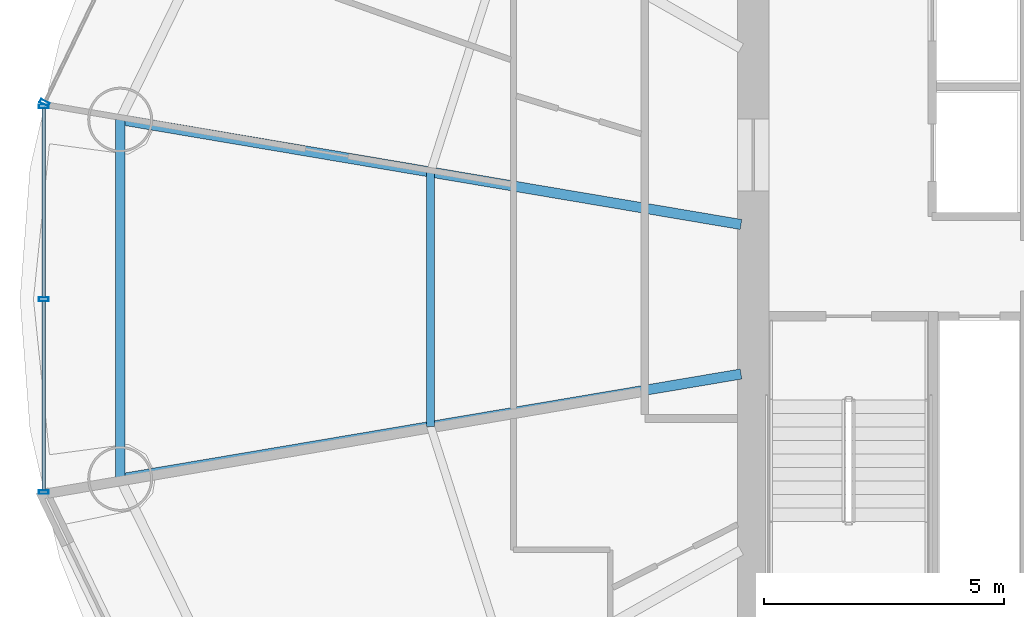
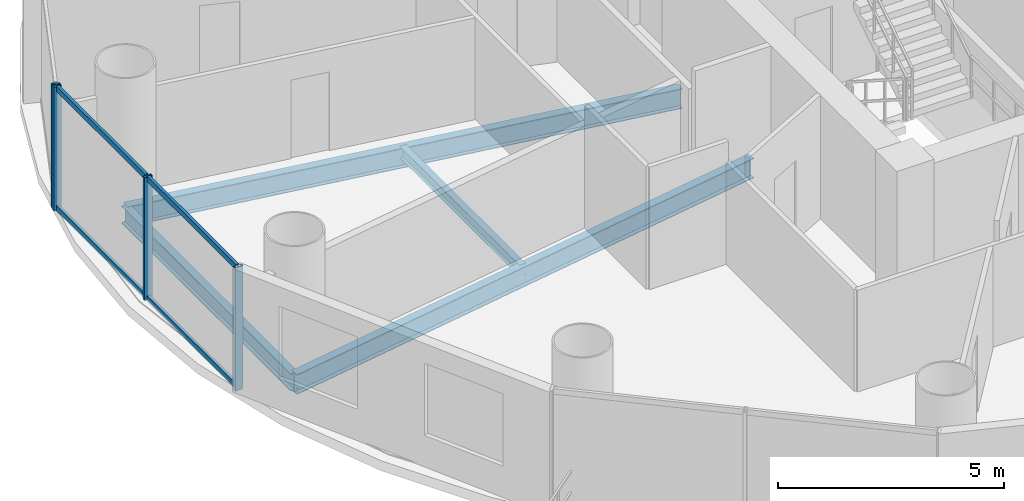
# One storey, part 7 of 26: 8 members, 4 beams, 2 elements without a shape of their own.
"""IFC4 building model written with IfcOpenShell, lengths in metres."""

from ifc_helpers import new_model, si_unit, direction, frame, origin, origin_2d, place, context, subcontext, project, spatial, hollow_rectangle, i_section, extrude, source, transform, mapped, material, material_profile, profile_set, type_object, element, aggregate, save


model = new_model("IFC4")

# Units and contexts
model_context = context("Model", 3, precision=1e-05, world=origin(), true_north=direction((-0.2419218956, 0.970295726276)))
body_context = subcontext(model_context, "Body", "Model", "MODEL_VIEW")
ifc_project = project(units=[si_unit("LENGTHUNIT", "METRE"), si_unit("AREAUNIT", "SQUARE_METRE"), si_unit("VOLUMEUNIT", "CUBIC_METRE"), si_unit("PLANEANGLEUNIT", "RADIAN"), si_unit("MASSUNIT", "GRAM", prefix="KILO")], contexts=[model_context])

# Site, building, storey
site_placement = place(None, origin())
site = spatial("IfcSite", under=ifc_project, at=site_placement, CompositionType="ELEMENT")
building_placement = place(site_placement, origin())
building = spatial("IfcBuilding", under=site, at=building_placement, Name="Cobrevalo Terracotta Tower", CompositionType="ELEMENT")
storey_placement = place(building_placement, frame((0.0, 0.0, 142.60009765625)))
storey = spatial("IfcBuildingStorey", under=building, at=storey_placement, Name="L37", CompositionType="ELEMENT", Elevation=142.60009765625)

# Beams
ifc_material_1 = material(Name="Steel S355", Category="steel")
ifc_material_profile_1 = material_profile(ifc_material_1, i_section(OverallWidth=0.2109375, OverallDepth=0.5390625, WebThickness=0.01171875, FlangeThickness=0.018798828125, at=origin_2d()), Name="W 530x109")
ifc_profile_set_1 = profile_set([ifc_material_profile_1], Name="Steel S355")
beam_type_1 = type_object("IfcBeamType", Name="Structural Beam W 530x109 (Steel S355)", PredefinedType="BEAM", material=ifc_profile_set_1)
for number, where, z_axis, x_axis, name in (
    (1, (15.88330078125, 30.535888671875, -0.53955078125), (0.986032794282, -0.166551279191, 0.0), (0.166551279191, 0.986032794282, 0.0), "L37 radial floor girder 08"),
    (2, (15.88330078125, 23.06396484375, -0.53955078125), (0.986029732232, 0.166569406417, 0.0), (-0.166569406417, 0.986029732232, 0.0), "L37 radial floor girder 09"),
):
    element("IfcBeam", number, at=place(storey_placement, frame(where, z_axis=z_axis, x_axis=x_axis)), inside=storey, type_object=beam_type_1, Name=name, PredefinedType="BEAM", context=body_context, shape_type="SweptSolid", body=[
        extrude(i_section(OverallWidth=0.2109375, OverallDepth=0.5390625, WebThickness=0.01171875, FlangeThickness=0.018798828125, at=origin_2d()), origin(), (0.0, 0.0, 1.0), 13.094482421875),
    ])
ifc_material_profile_2 = material_profile(ifc_material_1, i_section(OverallWidth=0.1650390625, OverallDepth=0.31005859375, WebThickness=0.005859375, FlangeThickness=0.009765625, at=origin_2d()), Name="W 310x38.7")
ifc_profile_set_2 = profile_set([ifc_material_profile_2], Name="Steel S355")
beam_type_2 = type_object("IfcBeamType", Name="Structural Joist W 310x38.7 (Steel S355)", PredefinedType="JOIST", material=ifc_profile_set_2)
beam_1_placement = place(storey_placement, frame((22.339111328125, 29.445556640625, -0.425048828125), z_axis=(0.0, -1.0, 0.0), x_axis=(1.0, 0.0, 0.0)))
element("IfcBeam", 3, at=beam_1_placement, inside=storey, type_object=beam_type_2, Name="L37 circumferential secondary floor joist 08", PredefinedType="JOIST", context=body_context, shape_type="SweptSolid", body=[
    extrude(i_section(OverallWidth=0.1650390625, OverallDepth=0.31005859375, WebThickness=0.005859375, FlangeThickness=0.009765625, at=origin_2d()), origin(), (0.0, 0.0, 1.0), 5.291015625),
])
ifc_material_profile_3 = material_profile(ifc_material_1, i_section(OverallWidth=0.194091796875, OverallDepth=0.468994140625, WebThickness=0.011474609375, FlangeThickness=0.0205078125, at=origin_2d()), Name="W 460x106")
ifc_profile_set_3 = profile_set([ifc_material_profile_3], Name="Steel S355")
beam_type_3 = type_object("IfcBeamType", Name="Structural Spandrel W 460x106 (Steel S355)", PredefinedType="SPANDREL", material=ifc_profile_set_3)
beam_2_placement = place(storey_placement, frame((15.88330078125, 30.535888671875, -0.504638671875), z_axis=(0.0, -1.0, 0.0), x_axis=(1.0, 0.0, 0.0)))
element("IfcBeam", 4, at=beam_2_placement, inside=storey, type_object=beam_type_3, Name="L37 perimeter ring spandrel 08", PredefinedType="SPANDREL", context=body_context, shape_type="SweptSolid", body=[
    extrude(i_section(OverallWidth=0.194091796875, OverallDepth=0.468994140625, WebThickness=0.011474609375, FlangeThickness=0.0205078125, at=origin_2d()), origin(), (0.0, 0.0, 1.0), 7.471923828125),
])

# Curtain wall, members
ifc_material_2 = material(Name="Anodized aluminium", Category="aluminium")
curtain_wall_type = type_object("IfcCurtainWallType", Name="Mid-tower high-wind unitised curtain wall CW-U2", PredefinedType="NOTDEFINED", material=ifc_material_2)
curtain_wall_1_placement = place(storey_placement, origin())
curtain_wall_1 = element("IfcCurtainWall", 5, at=curtain_wall_1_placement, inside=storey, type_object=curtain_wall_type, Name="L37 curtain wall CW-L37-S08", PredefinedType="NOTDEFINED")
ifc_material_profile_4 = material_profile(ifc_material_2, hollow_rectangle(XDim=0.074951171875, YDim=0.14990234375, WallThickness=0.00439453125, at=origin_2d()), Name="CWT 75x150")
ifc_profile_set_4 = profile_set([ifc_material_profile_4], Name="Anodized aluminium")
member_type_1 = type_object("IfcMemberType", Name="Tower unitised aluminium transom 75x150", PredefinedType="USERDEFINED", material=ifc_profile_set_4)
shared_shape_1 = source(origin(), body_context, "Body", "SweptSolid", [
    extrude(hollow_rectangle(XDim=0.074951171875, YDim=0.14990234375, WallThickness=0.00439453125, at=origin_2d()), origin(), (0.0, 0.0, 1.0), 3.931884765625),
])
member_1_placement = place(storey_placement, frame((14.29443359375, 30.77197265625, 0.0498046875), z_axis=(0.0, -1.0, 0.0), x_axis=(1.0, 0.0, 0.0)))
member_1 = element("IfcMember", 6, at=member_1_placement, type_object=member_type_1, Name="CW-L37-S08 transom B01-T1", ObjectType="TRANSOM", PredefinedType="USERDEFINED", context=body_context, shape_type="MappedRepresentation", body=[
    mapped(shared_shape_1, transform((0.0, 0.0, 0.0), scale=1.0)),
])
member_2_placement = place(storey_placement, frame((14.29443359375, 30.77197265625, 3.27978515625), z_axis=(0.0, -1.0, 0.0), x_axis=(1.0, 0.0, 0.0)))
member_2 = element("IfcMember", 7, at=member_2_placement, type_object=member_type_1, Name="CW-L37-S08 transom B01-T2", ObjectType="TRANSOM", PredefinedType="USERDEFINED", context=body_context, shape_type="MappedRepresentation", body=[
    mapped(shared_shape_1, transform((0.0, 0.0, 0.0), scale=1.0)),
])
shared_shape_2 = source(origin(), body_context, "Body", "SweptSolid", [
    extrude(hollow_rectangle(XDim=0.074951171875, YDim=0.14990234375, WallThickness=0.00439453125, at=origin_2d()), origin(), (0.0, 0.0, 1.0), 3.93212890625),
])
member_3_placement = place(storey_placement, frame((14.29443359375, 26.760009765625, 0.0498046875), z_axis=(0.0, -1.0, 0.0), x_axis=(1.0, 0.0, 0.0)))
member_3 = element("IfcMember", 8, at=member_3_placement, type_object=member_type_1, Name="CW-L37-S08 transom B02-T1", ObjectType="TRANSOM", PredefinedType="USERDEFINED", context=body_context, shape_type="MappedRepresentation", body=[
    mapped(shared_shape_2, transform((0.0, 0.0, 0.0), scale=1.0)),
])
member_4_placement = place(storey_placement, frame((14.29443359375, 26.760009765625, 3.27978515625), z_axis=(0.0, -1.0, 0.0), x_axis=(1.0, 0.0, 0.0)))
member_4 = element("IfcMember", 9, at=member_4_placement, type_object=member_type_1, Name="CW-L37-S08 transom B02-T2", ObjectType="TRANSOM", PredefinedType="USERDEFINED", context=body_context, shape_type="MappedRepresentation", body=[
    mapped(shared_shape_2, transform((0.0, 0.0, 0.0), scale=1.0)),
])

# Curtain wall, member
curtain_wall_2_placement = place(storey_placement, origin())
curtain_wall_2 = element("IfcCurtainWall", 10, at=curtain_wall_2_placement, inside=storey, type_object=curtain_wall_type, Name="L37 curtain wall CW-L37-S07", PredefinedType="NOTDEFINED")
ifc_material_profile_5 = material_profile(ifc_material_2, hollow_rectangle(XDim=0.074951171875, YDim=0.199951171875, WallThickness=0.0048828125, at=origin_2d()), Name="CWM 75x200")
ifc_profile_set_5 = profile_set([ifc_material_profile_5], Name="Anodized aluminium")
member_type_2 = type_object("IfcMemberType", Name="Lower/mid tower unitised mullion 75x200", PredefinedType="MULLION", material=ifc_profile_set_5)
shared_shape_3 = source(origin(), body_context, "Body", "SweptSolid", [
    extrude(hollow_rectangle(XDim=0.074951171875, YDim=0.199951171875, WallThickness=0.0048828125, at=origin_2d()), origin(), (0.0, 0.0, 1.0), 3.329833984375),
])
member_5_placement = place(storey_placement, frame((14.311767578125, 30.887939453125, 0.0), z_axis=(0.0, 0.0, 1.0), x_axis=(-0.434209440271, -0.900811945957, 0.0)))
member_5 = element("IfcMember", 11, at=member_5_placement, type_object=member_type_2, Name="CW-L37-S07 vertical mullion 03", PredefinedType="MULLION", context=body_context, shape_type="MappedRepresentation", body=[
    mapped(shared_shape_3, transform((0.0, 0.0, 0.0), scale=1.0)),
])
aggregate(curtain_wall_2, [member_5])

# Member
member_6_placement = place(storey_placement, frame((14.29443359375, 30.81201171875, 0.0), z_axis=(0.0, 0.0, 1.0), x_axis=(0.0, -1.0, 0.0)))
member_6 = element("IfcMember", 12, at=member_6_placement, type_object=member_type_2, Name="CW-L37-S08 vertical mullion 01", PredefinedType="MULLION", context=body_context, shape_type="MappedRepresentation", body=[
    mapped(shared_shape_3, transform((0.0, 0.0, 0.0), scale=1.0)),
])

member_7_placement = place(storey_placement, frame((14.29443359375, 26.800048828125, 0.0), z_axis=(0.0, 0.0, 1.0), x_axis=(0.0, -1.0, 0.0)))
member_7 = element("IfcMember", 13, at=member_7_placement, type_object=member_type_2, Name="CW-L37-S08 vertical mullion 02", PredefinedType="MULLION", context=body_context, shape_type="MappedRepresentation", body=[
    mapped(shared_shape_3, transform((0.0, 0.0, 0.0), scale=1.0)),
])

member_8_placement = place(storey_placement, frame((14.29443359375, 22.7880859375, 0.0), z_axis=(0.0, 0.0, 1.0), x_axis=(0.0, -1.0, 0.0)))
member_8 = element("IfcMember", 14, at=member_8_placement, type_object=member_type_2, Name="CW-L37-S08 vertical mullion 03", PredefinedType="MULLION", context=body_context, shape_type="MappedRepresentation", body=[
    mapped(shared_shape_3, transform((0.0, 0.0, 0.0), scale=1.0)),
])

aggregate(curtain_wall_1, [member_6, member_7, member_8, member_1, member_2, member_3, member_4])

save(model, "model.ifc")
